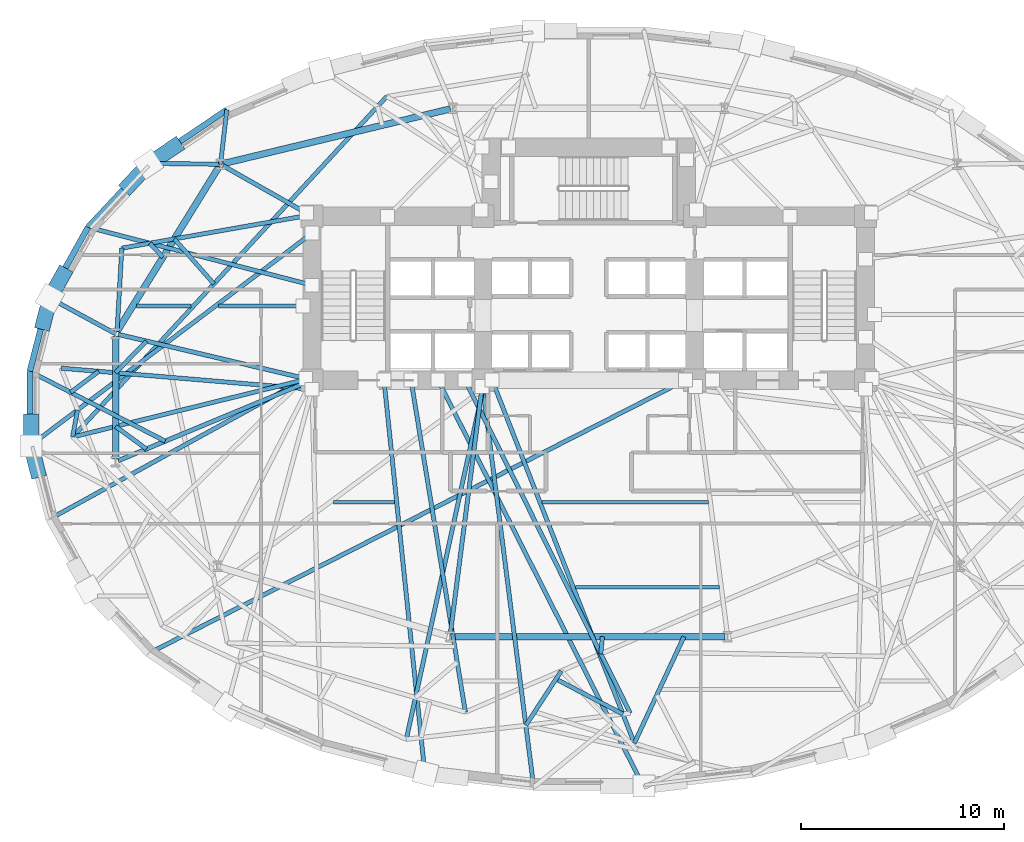
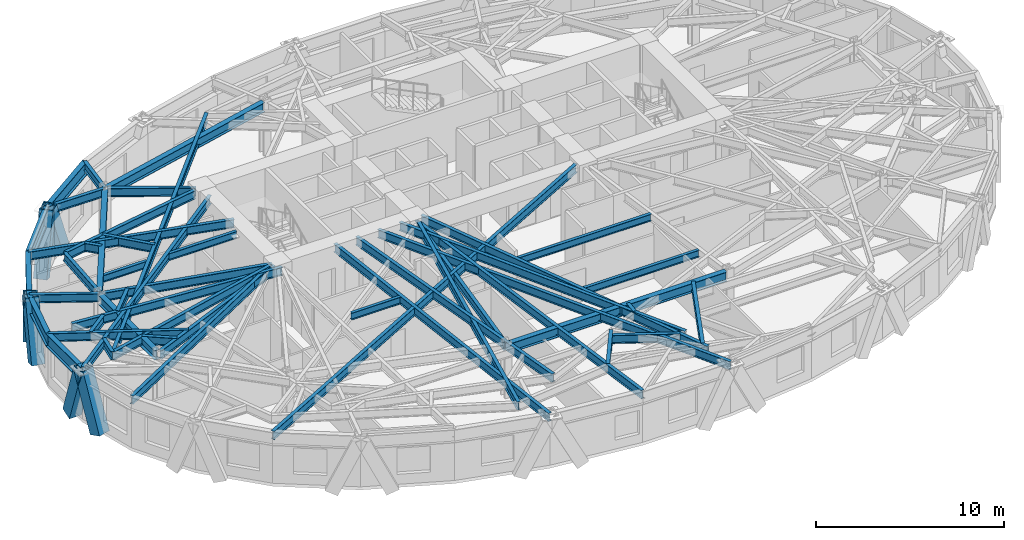
# One storey, part 2 of 13: 48 beams, 6 members.
"""IFC4 building model written with IfcOpenShell, lengths in metres."""

from ifc_helpers import new_model, si_unit, direction, frame, origin, origin_2d, place, context, subcontext, project, spatial, hollow_rectangle, i_section, extrude, material, material_profile, profile_set, type_object, element, save


model = new_model("IFC4")

# Units and contexts
model_context = context("Model", 3, precision=1e-05, world=origin(), true_north=direction((0.0, 1.0)))
body_context = subcontext(model_context, "Body", "Model", "MODEL_VIEW")
ifc_project = project(units=[si_unit("LENGTHUNIT", "METRE"), si_unit("AREAUNIT", "SQUARE_METRE"), si_unit("VOLUMEUNIT", "CUBIC_METRE"), si_unit("PLANEANGLEUNIT", "RADIAN"), si_unit("MASSUNIT", "GRAM", prefix="KILO")], contexts=[model_context])

# Site, building, storey
site_placement = place(None, origin())
site = spatial("IfcSite", under=ifc_project, at=site_placement, CompositionType="ELEMENT")
building_placement = place(site_placement, origin())
building = spatial("IfcBuilding", under=site, at=building_placement, Name="Keldmark Tower", CompositionType="ELEMENT")
storey_placement = place(building_placement, frame((0.0, 0.0, 45.0)))
storey = spatial("IfcBuildingStorey", under=building, at=storey_placement, Name="L11", CompositionType="ELEMENT", Elevation=45.0)

# Beams
ifc_material_1 = material(Name="Steel ASTM A992 Grade 50", Category="steel")
ifc_material_profile_1 = material_profile(ifc_material_1, i_section(OverallWidth=0.19091796875, OverallDepth=0.45703125, WebThickness=0.009033203125, FlangeThickness=0.014404296875, at=origin_2d()), Name="W18X50")
ifc_profile_set_1 = profile_set([ifc_material_profile_1], Name="Steel ASTM A992 Grade 50")
beam_type_1 = type_object("IfcBeamType", Name="Composite Floor Joist W18X50", PredefinedType="JOIST", material=ifc_profile_set_1)
beam_1_placement = place(storey_placement, frame((-0.66064453125, -8.780029296875, 3.17138671875), z_axis=(1.0, 0.0, 0.0), x_axis=(0.0, 1.0, 0.0)))
element("IfcBeam", 1, at=beam_1_placement, inside=storey, type_object=beam_type_1, Name="L11 Composite Floor Joist J05", PredefinedType="JOIST", context=body_context, shape_type="SweptSolid", body=[
    extrude(i_section(OverallWidth=0.19091796875, OverallDepth=0.45703125, WebThickness=0.009033203125, FlangeThickness=0.014404296875, at=origin_2d()), origin(), (0.0, 0.0, 1.0), 7.07177734375),
])
beam_2_placement = place(storey_placement, frame((-12.5537109375, -4.60009765625, 3.17138671875), z_axis=(1.0, 0.0, 0.0), x_axis=(0.0, 1.0, 0.0)))
element("IfcBeam", 2, at=beam_2_placement, inside=storey, type_object=beam_type_1, Name="L11 Composite Floor Joist J07", PredefinedType="JOIST", context=body_context, shape_type="SweptSolid", body=[
    extrude(i_section(OverallWidth=0.19091796875, OverallDepth=0.45703125, WebThickness=0.009033203125, FlangeThickness=0.014404296875, at=origin_2d()), origin(), (0.0, 0.0, 1.0), 3.016357421875),
])
beam_3_placement = place(storey_placement, frame((-2.29736328125, -4.60009765625, 3.17138671875), z_axis=(1.0, 0.0, 0.0), x_axis=(0.0, 1.0, 0.0)))
element("IfcBeam", 3, at=beam_3_placement, inside=storey, type_object=beam_type_1, Name="L11 Composite Floor Joist J08", PredefinedType="JOIST", context=body_context, shape_type="SweptSolid", body=[
    extrude(i_section(OverallWidth=0.19091796875, OverallDepth=0.45703125, WebThickness=0.009033203125, FlangeThickness=0.014404296875, at=origin_2d()), origin(), (0.0, 0.0, 1.0), 8.170654296875),
])
beam_4_placement = place(storey_placement, frame((-22.2294921875, 5.0400390625, 3.17138671875), z_axis=(1.0, 0.0, 0.0), x_axis=(0.0, 1.0, 0.0)))
element("IfcBeam", 4, at=beam_4_placement, inside=storey, type_object=beam_type_1, Name="L11 Composite Floor Joist J11", PredefinedType="JOIST", context=body_context, shape_type="SweptSolid", body=[
    extrude(i_section(OverallWidth=0.19091796875, OverallDepth=0.45703125, WebThickness=0.009033203125, FlangeThickness=0.014404296875, at=origin_2d()), origin(), (0.0, 0.0, 1.0), 2.66943359375),
])
beam_5_placement = place(storey_placement, frame((-18.187255859375, 5.0400390625, 3.17138671875), z_axis=(1.0, 0.0, 0.0), x_axis=(0.0, 1.0, 0.0)))
element("IfcBeam", 5, at=beam_5_placement, inside=storey, type_object=beam_type_1, Name="L11 Composite Floor Joist J12", PredefinedType="JOIST", context=body_context, shape_type="SweptSolid", body=[
    extrude(i_section(OverallWidth=0.19091796875, OverallDepth=0.45703125, WebThickness=0.009033203125, FlangeThickness=0.014404296875, at=origin_2d()), origin(), (0.0, 0.0, 1.0), 4.142333984375),
])

# Members
ifc_material_2 = material(Name="Steel ASTM A572 Grade 50", Category="steel")
ifc_material_profile_2 = material_profile(ifc_material_2, hollow_rectangle(XDim=0.75, YDim=0.75, WallThickness=0.06494140625, at=origin_2d()), Name="BOX750X750X65")
ifc_profile_set_2 = profile_set([ifc_material_profile_2], Name="Steel ASTM A572 Grade 50")
member_type = type_object("IfcMemberType", Name="Diagrid Lower Brace BOX750X750X65", PredefinedType="BRACE", material=ifc_profile_set_2)
member_1_placement = place(storey_placement, frame((-20.339111328125, 12.8837890625, -0.280029296875), z_axis=(-0.333167796222, -0.225753042249, 0.915442397683), x_axis=(0.560948167497, -0.827850924612, 0.0)))
element("IfcMember", 6, at=member_1_placement, inside=storey, type_object=member_type, Name="L11 Perimeter Diagrid Brace 06B", PredefinedType="BRACE", context=body_context, shape_type="SweptSolid", body=[
    extrude(hollow_rectangle(XDim=0.75, YDim=0.75, WallThickness=0.06494140625, at=origin_2d()), origin(), (0.0, 0.0, 1.0), 3.888916015625),
])
member_2_placement = place(storey_placement, frame((-22.60498046875, 10.9677734375, -0.280029296875), z_axis=(0.254987534516, 0.272673795643, 0.927701653772), x_axis=(-0.730397557148, 0.683022260627, 0.0)))
element("IfcMember", 7, at=member_2_placement, inside=storey, type_object=member_type, Name="L11 Perimeter Diagrid Brace 07A", PredefinedType="BRACE", context=body_context, shape_type="SweptSolid", body=[
    extrude(hollow_rectangle(XDim=0.75, YDim=0.75, WallThickness=0.06494140625, at=origin_2d()), origin(), (0.0, 0.0, 1.0), 3.83740234375),
])
member_3_placement = place(storey_placement, frame((-25.842041015625, 6.579345703125, -0.280029296875), z_axis=(-0.16943120398, -0.303561561286, 0.937626495801), x_axis=(0.873195871477, -0.487369438963, 0.0)))
element("IfcMember", 8, at=member_3_placement, inside=storey, type_object=member_type, Name="L11 Perimeter Diagrid Brace 07B", PredefinedType="BRACE", context=body_context, shape_type="SweptSolid", body=[
    extrude(hollow_rectangle(XDim=0.75, YDim=0.75, WallThickness=0.06494140625, at=origin_2d()), origin(), (0.0, 0.0, 1.0), 3.796875),
])
member_4_placement = place(storey_placement, frame((-26.7900390625, 4.230224609375, -0.280029296875), z_axis=(0.081943806471, 0.320072766982, 0.943842484961), x_axis=(-0.968755649676, 0.248017118805, 0.0)))
element("IfcMember", 9, at=member_4_placement, inside=storey, type_object=member_type, Name="L11 Perimeter Diagrid Brace 08A", PredefinedType="BRACE", context=body_context, shape_type="SweptSolid", body=[
    extrude(hollow_rectangle(XDim=0.75, YDim=0.75, WallThickness=0.06494140625, at=origin_2d()), origin(), (0.0, 0.0, 1.0), 3.77197265625),
])
member_5_placement = place(storey_placement, frame((-27.40625, -0.616943359375, -0.280029296875), z_axis=(0.0, -0.324641042054, 0.945837297749), x_axis=(1.0, 0.0, 0.0)))
element("IfcMember", 10, at=member_5_placement, inside=storey, type_object=member_type, Name="L11 Perimeter Diagrid Brace 08B", PredefinedType="BRACE", context=body_context, shape_type="SweptSolid", body=[
    extrude(hollow_rectangle(XDim=0.75, YDim=0.75, WallThickness=0.06494140625, at=origin_2d()), origin(), (0.0, 0.0, 1.0), 3.763916015625),
])
member_6_placement = place(storey_placement, frame((-27.096923828125, -3.034423828125, -0.280029296875), z_axis=(-0.08200809788, 0.320071068679, 0.94383747694), x_axis=(-0.968708564556, -0.248200960828, 0.0)))
element("IfcMember", 11, at=member_6_placement, inside=storey, type_object=member_type, Name="L11 Perimeter Diagrid Brace 09A", PredefinedType="BRACE", context=body_context, shape_type="SweptSolid", body=[
    extrude(hollow_rectangle(XDim=0.75, YDim=0.75, WallThickness=0.06494140625, at=origin_2d()), origin(), (0.0, 0.0, 1.0), 3.77197265625),
])

# Beams
ifc_material_3 = material(Name="Steel ASTM A992 Grade 50", Category="steel")
ifc_material_profile_3 = material_profile(ifc_material_3, i_section(OverallWidth=0.323974609375, OverallDepth=0.611083984375, WebThickness=0.0126953125, FlangeThickness=0.01904296875, at=origin_2d()), Name="W24X104")
ifc_profile_set_3 = profile_set([ifc_material_profile_3], Name="Steel ASTM A992 Grade 50")
beam_type_2 = type_object("IfcBeamType", Name="Primary Floor Girder W24X104", PredefinedType="BEAM", material=ifc_profile_set_3)
beam_6_placement = place(storey_placement, frame((-6.80126953125, 14.727294921875, 3.094482421875), z_axis=(-0.972218707757, -0.2340743136, 0.0), x_axis=(0.2340743136, -0.972218707757, 0.0)))
element("IfcBeam", 12, at=beam_6_placement, inside=storey, type_object=beam_type_2, Name="L11 Floor Ring Girder FG-R04", PredefinedType="BEAM", context=body_context, shape_type="SweptSolid", body=[
    extrude(i_section(OverallWidth=0.323974609375, OverallDepth=0.611083984375, WebThickness=0.0126953125, FlangeThickness=0.01904296875, at=origin_2d()), origin(), (0.0, 0.0, 1.0), 11.479248046875),
])
beam_7_placement = place(storey_placement, frame((-18.17138671875, 11.888427734375, 3.094482421875), z_axis=(-0.526318405849, -0.850287560573, 0.0), x_axis=(0.850287560573, -0.526318405849, 0.0)))
element("IfcBeam", 13, at=beam_7_placement, inside=storey, type_object=beam_type_2, Name="L11 Floor Ring Girder FG-R05", PredefinedType="BEAM", context=body_context, shape_type="SweptSolid", body=[
    extrude(i_section(OverallWidth=0.323974609375, OverallDepth=0.611083984375, WebThickness=0.0126953125, FlangeThickness=0.01904296875, at=origin_2d()), origin(), (0.0, 0.0, 1.0), 9.51708984375),
])
beam_8_placement = place(storey_placement, frame((-23.25390625, 3.537109375, 3.094482421875), z_axis=(0.0, -1.0, 0.0), x_axis=(1.0, 0.0, 0.0)))
element("IfcBeam", 14, at=beam_8_placement, inside=storey, type_object=beam_type_2, Name="L11 Floor Ring Girder FG-R06", PredefinedType="BEAM", context=body_context, shape_type="SweptSolid", body=[
    extrude(i_section(OverallWidth=0.323974609375, OverallDepth=0.611083984375, WebThickness=0.0126953125, FlangeThickness=0.01904296875, at=origin_2d()), origin(), (0.0, 0.0, 1.0), 6.01025390625),
])
beam_9_placement = place(storey_placement, frame((-6.68212890625, -11.205810546875, 3.094482421875), z_axis=(1.0, 0.0, 0.0), x_axis=(0.0, 1.0, 0.0)))
element("IfcBeam", 15, at=beam_9_placement, inside=storey, type_object=beam_type_2, Name="L11 Floor Ring Girder FG-R09", PredefinedType="BEAM", context=body_context, shape_type="SweptSolid", body=[
    extrude(i_section(OverallWidth=0.323974609375, OverallDepth=0.611083984375, WebThickness=0.0126953125, FlangeThickness=0.01904296875, at=origin_2d()), origin(), (0.0, 0.0, 1.0), 13.3642578125),
])
ifc_material_4 = material(Name="Steel ASTM A992 Grade 50", Category="steel")
ifc_material_profile_4 = material_profile(ifc_material_4, i_section(OverallWidth=0.2099609375, OverallDepth=0.537109375, WebThickness=0.010986328125, FlangeThickness=0.017333984375, at=origin_2d()), Name="W21X68")
ifc_profile_set_4 = profile_set([ifc_material_profile_4], Name="Steel ASTM A992 Grade 50")
beam_type_3 = type_object("IfcBeamType", Name="Radial Tie Girder W21X68", PredefinedType="BEAM", material=ifc_profile_set_4)
beam_10_placement = place(storey_placement, frame((-21.740234375, -1.98388671875, 3.131591796875), z_axis=(-0.806632426687, 0.591053405554, 0.0), x_axis=(-0.591053405554, -0.806632426687, 0.0)))
element("IfcBeam", 16, at=beam_10_placement, inside=storey, type_object=beam_type_3, Name="L11 Framing Pin Header PH-005", PredefinedType="BEAM", context=body_context, shape_type="SweptSolid", body=[
    extrude(i_section(OverallWidth=0.2099609375, OverallDepth=0.537109375, WebThickness=0.010986328125, FlangeThickness=0.017333984375, at=origin_2d()), origin(), (0.0, 0.0, 1.0), 1.87646484375),
])
beam_11_placement = place(storey_placement, frame((-14.050048828125, 1.39990234375, 3.131591796875), z_axis=(-0.970791969309, -0.239922804929, 0.0), x_axis=(0.239922804929, -0.970791969309, 0.0)))
element("IfcBeam", 17, at=beam_11_placement, inside=storey, type_object=beam_type_3, Name="L11 Sub-Ring Step Girder STP1-M07", PredefinedType="BEAM", context=body_context, shape_type="SweptSolid", body=[
    extrude(i_section(OverallWidth=0.2099609375, OverallDepth=0.537109375, WebThickness=0.010986328125, FlangeThickness=0.017333984375, at=origin_2d()), origin(), (0.0, 0.0, 1.0), 11.656494140625),
])
beam_12_placement = place(storey_placement, frame((-8.735595703125, 1.39990234375, 3.131591796875), z_axis=(0.161620615206, -0.98685296612, 0.0), x_axis=(0.98685296612, 0.161620615206, 0.0)))
element("IfcBeam", 18, at=beam_12_placement, inside=storey, type_object=beam_type_3, Name="L11 Sub-Ring Step Girder STP1-M09", PredefinedType="BEAM", context=body_context, shape_type="SweptSolid", body=[
    extrude(i_section(OverallWidth=0.2099609375, OverallDepth=0.537109375, WebThickness=0.010986328125, FlangeThickness=0.017333984375, at=origin_2d()), origin(), (0.0, 0.0, 1.0), 16.533203125),
])
beam_13_placement = place(storey_placement, frame((-9.9326171875, 15.33251953125, 3.131591796875), z_axis=(-0.678065786913, -0.735001216746, 0.0), x_axis=(0.735001216746, -0.678065786913, 0.0)))
element("IfcBeam", 19, at=beam_13_placement, inside=storey, type_object=beam_type_3, Name="L11 Perimeter Collector Ring Beam CRG1-M05", PredefinedType="BEAM", context=body_context, shape_type="SweptSolid", body=[
    extrude(i_section(OverallWidth=0.2099609375, OverallDepth=0.537109375, WebThickness=0.010986328125, FlangeThickness=0.017333984375, at=origin_2d()), origin(), (0.0, 0.0, 1.0), 22.7607421875),
])
beam_14_placement = place(storey_placement, frame((-21.73681640625, 3.3193359375, 3.131591796875), z_axis=(-0.697669764864, -0.716419499452, 0.0), x_axis=(0.716419499452, -0.697669764864, 0.0)))
element("IfcBeam", 20, at=beam_14_placement, inside=storey, type_object=beam_type_3, Name="L11 Framing Pin Header PH-010", PredefinedType="BEAM", context=body_context, shape_type="SweptSolid", body=[
    extrude(i_section(OverallWidth=0.2099609375, OverallDepth=0.537109375, WebThickness=0.010986328125, FlangeThickness=0.017333984375, at=origin_2d()), origin(), (0.0, 0.0, 1.0), 2.174560546875),
])
beam_15_placement = place(storey_placement, frame((-13.60009765625, 0.949951171875, 3.131591796875), z_axis=(-0.996486036928, 0.083759048507, 0.0), x_axis=(-0.083759048507, -0.996486036928, 0.0)))
element("IfcBeam", 21, at=beam_15_placement, inside=storey, type_object=beam_type_3, Name="L11 Sub-Ring Step Girder STP2-M07", PredefinedType="BEAM", context=body_context, shape_type="SweptSolid", body=[
    extrude(i_section(OverallWidth=0.2099609375, OverallDepth=0.537109375, WebThickness=0.010986328125, FlangeThickness=0.017333984375, at=origin_2d()), origin(), (0.0, 0.0, 1.0), 12.373291015625),
])
beam_16_placement = place(storey_placement, frame((-5.199951171875, 0.949951171875, 3.131591796875), z_axis=(-0.213990447824, -0.976835752949, 0.0), x_axis=(0.976835752949, -0.213990447824, 0.0)))
element("IfcBeam", 22, at=beam_16_placement, inside=storey, type_object=beam_type_3, Name="L11 Sub-Ring Step Girder STP2-M09", PredefinedType="BEAM", context=body_context, shape_type="SweptSolid", body=[
    extrude(i_section(OverallWidth=0.2099609375, OverallDepth=0.537109375, WebThickness=0.010986328125, FlangeThickness=0.017333984375, at=origin_2d()), origin(), (0.0, 0.0, 1.0), 17.608642578125),
])
beam_17_placement = place(storey_placement, frame((0.668212890625, -11.205810546875, 3.131591796875), z_axis=(-0.088438496664, -0.996081639379, 0.0), x_axis=(0.996081639379, -0.088438496664, 0.0)))
element("IfcBeam", 23, at=beam_17_placement, inside=storey, type_object=beam_type_3, Name="L11 Framing Pin Header PH-013", PredefinedType="BEAM", context=body_context, shape_type="SweptSolid", body=[
    extrude(i_section(OverallWidth=0.2099609375, OverallDepth=0.537109375, WebThickness=0.010986328125, FlangeThickness=0.017333984375, at=origin_2d()), origin(), (0.0, 0.0, 1.0), 0.850341796875),
])
beam_18_placement = place(storey_placement, frame((-6.07861328125, 1.39990234375, 3.131591796875), z_axis=(0.444303636595, -0.895876262945, 0.0), x_axis=(0.895876262945, 0.444303636595, 0.0)))
element("IfcBeam", 24, at=beam_18_placement, inside=storey, type_object=beam_type_3, Name="L11 Sub-Ring Step Girder STP2-M10", PredefinedType="BEAM", context=body_context, shape_type="SweptSolid", body=[
    extrude(i_section(OverallWidth=0.2099609375, OverallDepth=0.537109375, WebThickness=0.010986328125, FlangeThickness=0.017333984375, at=origin_2d()), origin(), (0.0, 0.0, 1.0), 18.27099609375),
])
beam_19_placement = place(storey_placement, frame((-18.09765625, 12.00732421875, 3.131591796875), z_axis=(0.115438533169, 0.993314625413, 0.0), x_axis=(-0.993314625413, 0.115438533169, 0.0)))
element("IfcBeam", 25, at=beam_19_placement, inside=storey, type_object=beam_type_3, Name="L11 Perimeter Column Bracket RT-12", PredefinedType="BEAM", context=body_context, shape_type="SweptSolid", body=[
    extrude(i_section(OverallWidth=0.2099609375, OverallDepth=0.537109375, WebThickness=0.010986328125, FlangeThickness=0.017333984375, at=origin_2d()), origin(), (0.0, 0.0, 1.0), 2.696533203125),
])
beam_20_placement = place(storey_placement, frame((-18.09765625, 12.00732421875, 3.131591796875), z_axis=(-0.999921071329, 0.012563881257, 0.0), x_axis=(-0.012563881257, -0.999921071329, 0.0)))
element("IfcBeam", 26, at=beam_20_placement, inside=storey, type_object=beam_type_3, Name="L11 Perimeter Column Bracket RT-13", PredefinedType="BEAM", context=body_context, shape_type="SweptSolid", body=[
    extrude(i_section(OverallWidth=0.2099609375, OverallDepth=0.537109375, WebThickness=0.010986328125, FlangeThickness=0.017333984375, at=origin_2d()), origin(), (0.0, 0.0, 1.0), 3.575439453125),
])
beam_21_placement = place(storey_placement, frame((-18.4208984375, 6.13134765625, 3.131591796875), z_axis=(-0.661739577532, 0.749733773767, 0.0), x_axis=(-0.749733773767, -0.661739577532, 0.0)))
element("IfcBeam", 27, at=beam_21_placement, inside=storey, type_object=beam_type_3, Name="L11 Framing Pin Header PH-022", PredefinedType="BEAM", context=body_context, shape_type="SweptSolid", body=[
    extrude(i_section(OverallWidth=0.2099609375, OverallDepth=0.537109375, WebThickness=0.010986328125, FlangeThickness=0.017333984375, at=origin_2d()), origin(), (0.0, 0.0, 1.0), 2.94384765625),
])
beam_22_placement = place(storey_placement, frame((-14.050048828125, 9.449951171875, 3.131591796875), z_axis=(-0.984876463888, -0.173258047087, 0.0), x_axis=(0.173258047087, -0.984876463888, 0.0)))
element("IfcBeam", 28, at=beam_22_placement, inside=storey, type_object=beam_type_3, Name="L11 Intermediate Radial Step Girder RT-14M", PredefinedType="BEAM", context=body_context, shape_type="SweptSolid", body=[
    extrude(i_section(OverallWidth=0.2099609375, OverallDepth=0.537109375, WebThickness=0.010986328125, FlangeThickness=0.017333984375, at=origin_2d()), origin(), (0.0, 0.0, 1.0), 9.033935546875),
])
beam_23_placement = place(storey_placement, frame((-23.180419921875, 3.796142578125, 3.131591796875), z_axis=(0.056932645284, 0.998378021543, 0.0), x_axis=(-0.998378021543, 0.056932645284, 0.0)))
element("IfcBeam", 29, at=beam_23_placement, inside=storey, type_object=beam_type_3, Name="L11 Local Collector Chord RT-14C", PredefinedType="BEAM", context=body_context, shape_type="SweptSolid", body=[
    extrude(i_section(OverallWidth=0.2099609375, OverallDepth=0.537109375, WebThickness=0.010986328125, FlangeThickness=0.017333984375, at=origin_2d()), origin(), (0.0, 0.0, 1.0), 4.09521484375),
])
beam_24_placement = place(storey_placement, frame((-20.92626953125, 7.437744140625, 3.131591796875), z_axis=(-0.683036945409, 0.730383824579, 0.0), x_axis=(-0.730383824579, -0.683036945409, 0.0)))
element("IfcBeam", 30, at=beam_24_placement, inside=storey, type_object=beam_type_3, Name="L11 Framing Pin Header PH-023", PredefinedType="BEAM", context=body_context, shape_type="SweptSolid", body=[
    extrude(i_section(OverallWidth=0.2099609375, OverallDepth=0.537109375, WebThickness=0.010986328125, FlangeThickness=0.017333984375, at=origin_2d()), origin(), (0.0, 0.0, 1.0), 0.943603515625),
])
beam_25_placement = place(storey_placement, frame((-13.60009765625, 6.064208984375, 3.131591796875), z_axis=(-0.96811154628, 0.250519528099, 0.0), x_axis=(-0.250519528099, -0.96811154628, 0.0)))
element("IfcBeam", 31, at=beam_25_placement, inside=storey, type_object=beam_type_3, Name="L11 Perimeter Radial Tie Girder RT-14", PredefinedType="BEAM", context=body_context, shape_type="SweptSolid", body=[
    extrude(i_section(OverallWidth=0.2099609375, OverallDepth=0.537109375, WebThickness=0.010986328125, FlangeThickness=0.017333984375, at=origin_2d()), origin(), (0.0, 0.0, 1.0), 11.370849609375),
])
beam_26_placement = place(storey_placement, frame((-23.25390625, 3.67724609375, 3.131591796875), z_axis=(-0.8794299536, 0.476028315031, 0.0), x_axis=(-0.476028315031, -0.8794299536, 0.0)))
element("IfcBeam", 32, at=beam_26_placement, inside=storey, type_object=beam_type_3, Name="L11 Perimeter Column Bracket RT-15", PredefinedType="BEAM", context=body_context, shape_type="SweptSolid", body=[
    extrude(i_section(OverallWidth=0.2099609375, OverallDepth=0.537109375, WebThickness=0.010986328125, FlangeThickness=0.017333984375, at=origin_2d()), origin(), (0.0, 0.0, 1.0), 3.734619140625),
])
beam_27_placement = place(storey_placement, frame((-24.080322265625, 1.830810546875, 3.131591796875), z_axis=(-0.802099318173, -0.597190659493, 0.0), x_axis=(0.597190659493, -0.802099318173, 0.0)))
element("IfcBeam", 33, at=beam_27_placement, inside=storey, type_object=beam_type_3, Name="L11 Framing Pin Header PH-024", PredefinedType="BEAM", context=body_context, shape_type="SweptSolid", body=[
    extrude(i_section(OverallWidth=0.2099609375, OverallDepth=0.537109375, WebThickness=0.010986328125, FlangeThickness=0.017333984375, at=origin_2d()), origin(), (0.0, 0.0, 1.0), 1.726318359375),
])
beam_28_placement = place(storey_placement, frame((-20.8173828125, -1.600341796875, 3.131591796875), z_axis=(-0.888517255374, 0.458843205138, 0.0), x_axis=(-0.458843205138, -0.888517255374, 0.0)))
element("IfcBeam", 34, at=beam_28_placement, inside=storey, type_object=beam_type_3, Name="L11 Perimeter Radial Tie Girder RT-16", PredefinedType="BEAM", context=body_context, shape_type="SweptSolid", body=[
    extrude(i_section(OverallWidth=0.2099609375, OverallDepth=0.537109375, WebThickness=0.010986328125, FlangeThickness=0.017333984375, at=origin_2d()), origin(), (0.0, 0.0, 1.0), 7.482666015625),
])
beam_29_placement = place(storey_placement, frame((-25.365966796875, -1.396728515625, 3.131591796875), z_axis=(0.178455825361, 0.983947924636, 0.0), x_axis=(-0.983947924636, 0.178455825361, 0.0)))
element("IfcBeam", 35, at=beam_29_placement, inside=storey, type_object=beam_type_3, Name="L11 Framing Pin Header PH-025", PredefinedType="BEAM", context=body_context, shape_type="SweptSolid", body=[
    extrude(i_section(OverallWidth=0.2099609375, OverallDepth=0.537109375, WebThickness=0.010986328125, FlangeThickness=0.017333984375, at=origin_2d()), origin(), (0.0, 0.0, 1.0), 1.350341796875),
])
beam_30_placement = place(storey_placement, frame((-13.60009765625, 8.621337890625, 3.131591796875), z_axis=(-0.798475663961, -0.602027087482, 0.0), x_axis=(0.602027087482, -0.798475663961, 0.0)))
element("IfcBeam", 36, at=beam_30_placement, inside=storey, type_object=beam_type_3, Name="L11 Perimeter Radial Tie Girder RT-17", PredefinedType="BEAM", context=body_context, shape_type="SweptSolid", body=[
    extrude(i_section(OverallWidth=0.2099609375, OverallDepth=0.537109375, WebThickness=0.010986328125, FlangeThickness=0.017333984375, at=origin_2d()), origin(), (0.0, 0.0, 1.0), 17.365234375),
])
beam_31_placement = place(storey_placement, frame((-14.050048828125, 1.39990234375, 3.131591796875), z_axis=(-0.876617956522, -0.481187030482, 0.0), x_axis=(0.481187030482, -0.876617956522, 0.0)))
element("IfcBeam", 37, at=beam_31_placement, inside=storey, type_object=beam_type_3, Name="L11 Perimeter Radial Tie Girder RT-18", PredefinedType="BEAM", context=body_context, shape_type="SweptSolid", body=[
    extrude(i_section(OverallWidth=0.2099609375, OverallDepth=0.537109375, WebThickness=0.010986328125, FlangeThickness=0.017333984375, at=origin_2d()), origin(), (0.0, 0.0, 1.0), 14.24609375),
])
beam_32_placement = place(storey_placement, frame((4.75, 1.39990234375, 3.131591796875), z_axis=(-0.891156094168, -0.453696832508, 0.0), x_axis=(0.453696832508, -0.891156094168, 0.0)))
element("IfcBeam", 38, at=beam_32_placement, inside=storey, type_object=beam_type_3, Name="L11 Perimeter Radial Tie Girder RT-20", PredefinedType="BEAM", context=body_context, shape_type="SweptSolid", body=[
    extrude(i_section(OverallWidth=0.2099609375, OverallDepth=0.537109375, WebThickness=0.010986328125, FlangeThickness=0.017333984375, at=origin_2d()), origin(), (0.0, 0.0, 1.0), 29.650146484375),
])
beam_33_placement = place(storey_placement, frame((-10.064208984375, 1.39990234375, 3.131591796875), z_axis=(0.103347098695, -0.994645352471, 0.0), x_axis=(0.994645352471, 0.103347098695, 0.0)))
element("IfcBeam", 39, at=beam_33_placement, inside=storey, type_object=beam_type_3, Name="L11 Perimeter Radial Tie Girder RT-23", PredefinedType="BEAM", context=body_context, shape_type="SweptSolid", body=[
    extrude(i_section(OverallWidth=0.2099609375, OverallDepth=0.537109375, WebThickness=0.010986328125, FlangeThickness=0.017333984375, at=origin_2d()), origin(), (0.0, 0.0, 1.0), 19.48681640625),
])
beam_34_placement = place(storey_placement, frame((-1.34912109375, -12.88818359375, 3.131591796875), z_axis=(-0.54576672663, -0.83793715761, 0.0), x_axis=(0.83793715761, -0.54576672663, 0.0)))
element("IfcBeam", 40, at=beam_34_placement, inside=storey, type_object=beam_type_3, Name="L11 Framing Pin Header PH-032", PredefinedType="BEAM", context=body_context, shape_type="SweptSolid", body=[
    extrude(i_section(OverallWidth=0.2099609375, OverallDepth=0.537109375, WebThickness=0.010986328125, FlangeThickness=0.017333984375, at=origin_2d()), origin(), (0.0, 0.0, 1.0), 3.1962890625),
])
beam_35_placement = place(storey_placement, frame((-5.199951171875, 0.949951171875, 3.131591796875), z_axis=(0.126518099542, -0.991964298999, 0.0), x_axis=(0.991964298999, 0.126518099542, 0.0)))
element("IfcBeam", 41, at=beam_35_placement, inside=storey, type_object=beam_type_3, Name="L11 Perimeter Radial Tie Girder RT-24", PredefinedType="BEAM", context=body_context, shape_type="SweptSolid", body=[
    extrude(i_section(OverallWidth=0.2099609375, OverallDepth=0.537109375, WebThickness=0.010986328125, FlangeThickness=0.017333984375, at=origin_2d()), origin(), (0.0, 0.0, 1.0), 19.719482421875),
])
beam_36_placement = place(storey_placement, frame((-1.61083984375, -13.289794921875, 3.131591796875), z_axis=(0.885872748, -0.463928307339, 0.0), x_axis=(0.463928307339, 0.885872748, 0.0)))
element("IfcBeam", 42, at=beam_36_placement, inside=storey, type_object=beam_type_3, Name="L11 Framing Pin Header PH-033", PredefinedType="BEAM", context=body_context, shape_type="SweptSolid", body=[
    extrude(i_section(OverallWidth=0.2099609375, OverallDepth=0.537109375, WebThickness=0.010986328125, FlangeThickness=0.017333984375, at=origin_2d()), origin(), (0.0, 0.0, 1.0), 3.7099609375),
])
beam_37_placement = place(storey_placement, frame((-4.75, 1.39990234375, 3.131591796875), z_axis=(0.364599612987, -0.93116439054, 0.0), x_axis=(0.93116439054, 0.364599612987, 0.0)))
element("IfcBeam", 43, at=beam_37_placement, inside=storey, type_object=beam_type_3, Name="L11 Intermediate Radial Step Girder RT-25M", PredefinedType="BEAM", context=body_context, shape_type="SweptSolid", body=[
    extrude(i_section(OverallWidth=0.2099609375, OverallDepth=0.537109375, WebThickness=0.010986328125, FlangeThickness=0.017333984375, at=origin_2d()), origin(), (0.0, 0.0, 1.0), 19.53466796875),
])
beam_38_placement = place(storey_placement, frame((-7.406982421875, 1.39990234375, 3.131591796875), z_axis=(0.451011997256, -0.892517886841, 0.0), x_axis=(0.892517886841, 0.451011997256, 0.0)))
element("IfcBeam", 44, at=beam_38_placement, inside=storey, type_object=beam_type_3, Name="L11 Perimeter Radial Tie Girder RT-25", PredefinedType="BEAM", context=body_context, shape_type="SweptSolid", body=[
    extrude(i_section(OverallWidth=0.2099609375, OverallDepth=0.537109375, WebThickness=0.010986328125, FlangeThickness=0.017333984375, at=origin_2d()), origin(), (0.0, 0.0, 1.0), 22.4208984375),
])
beam_39_placement = place(storey_placement, frame((4.677490234375, -11.205810546875, 3.131591796875), z_axis=(-0.422170829985, -0.906516293461, 0.0), x_axis=(0.906516293461, -0.422170829985, 0.0)))
element("IfcBeam", 45, at=beam_39_placement, inside=storey, type_object=beam_type_3, Name="L11 Framing Pin Header PH-035", PredefinedType="BEAM", context=body_context, shape_type="SweptSolid", body=[
    extrude(i_section(OverallWidth=0.2099609375, OverallDepth=0.537109375, WebThickness=0.010986328125, FlangeThickness=0.017333984375, at=origin_2d()), origin(), (0.0, 0.0, 1.0), 5.780029296875),
])
ifc_material_5 = material(Name="Steel ASTM A992 Grade 50", Category="steel")
ifc_material_profile_5 = material_profile(ifc_material_5, i_section(OverallWidth=0.214111328125, OverallDepth=0.549072265625, WebThickness=0.0146484375, FlangeThickness=0.023681640625, at=origin_2d()), Name="W21X93")
ifc_profile_set_5 = profile_set([ifc_material_profile_5], Name="Steel ASTM A992 Grade 50")
beam_type_4 = type_object("IfcBeamType", Name="Radial Tie Girder W21X93", PredefinedType="BEAM", material=ifc_profile_set_5)
beam_40_placement = place(storey_placement, frame((-17.97607421875, 11.938232421875, 3.12548828125), z_axis=(0.869299282131, -0.494286109542, 0.0), x_axis=(0.494286109542, 0.869299282131, 0.0)))
element("IfcBeam", 46, at=beam_40_placement, inside=storey, type_object=beam_type_4, Name="L11 Floor Radial Girder FG-C05", PredefinedType="BEAM", context=body_context, shape_type="SweptSolid", body=[
    extrude(i_section(OverallWidth=0.214111328125, OverallDepth=0.549072265625, WebThickness=0.0146484375, FlangeThickness=0.023681640625, at=origin_2d()), origin(), (0.0, 0.0, 1.0), 4.714111328125),
])
beam_41_placement = place(storey_placement, frame((-23.11767578125, 3.64501953125, 3.12548828125), z_axis=(0.973287364179, -0.229590301909, 0.0), x_axis=(0.229590301909, 0.973287364179, 0.0)))
element("IfcBeam", 47, at=beam_41_placement, inside=storey, type_object=beam_type_4, Name="L11 Floor Radial Girder FG-C06", PredefinedType="BEAM", context=body_context, shape_type="SweptSolid", body=[
    extrude(i_section(OverallWidth=0.214111328125, OverallDepth=0.549072265625, WebThickness=0.0146484375, FlangeThickness=0.023681640625, at=origin_2d()), origin(), (0.0, 0.0, 1.0), 9.458740234375),
])
beam_42_placement = place(storey_placement, frame((-23.124755859375, -2.5595703125, 3.12548828125), z_axis=(0.923390978102, 0.383860784088, 0.0), x_axis=(-0.383860784088, 0.923390978102, 0.0)))
element("IfcBeam", 48, at=beam_42_placement, inside=storey, type_object=beam_type_4, Name="L11 Floor Radial Girder FG-C07", PredefinedType="BEAM", context=body_context, shape_type="SweptSolid", body=[
    extrude(i_section(OverallWidth=0.214111328125, OverallDepth=0.549072265625, WebThickness=0.0146484375, FlangeThickness=0.023681640625, at=origin_2d()), origin(), (0.0, 0.0, 1.0), 9.994873046875),
])
beam_43_placement = place(storey_placement, frame((-6.80419921875, -11.06689453125, 3.12548828125), z_axis=(0.127634898593, 0.99182122011, 0.0), x_axis=(-0.99182122011, 0.127634898593, 0.0)))
element("IfcBeam", 49, at=beam_43_placement, inside=storey, type_object=beam_type_4, Name="L11 Floor Radial Girder FG-C09", PredefinedType="BEAM", context=body_context, shape_type="SweptSolid", body=[
    extrude(i_section(OverallWidth=0.214111328125, OverallDepth=0.549072265625, WebThickness=0.0146484375, FlangeThickness=0.023681640625, at=origin_2d()), origin(), (0.0, 0.0, 1.0), 12.24951171875),
])
ifc_material_6 = material(Name="Steel ASTM A992 Grade 50", Category="steel")
ifc_material_profile_6 = material_profile(ifc_material_6, i_section(OverallWidth=0.2919921875, OverallDepth=0.85888671875, WebThickness=0.01708984375, FlangeThickness=0.031005859375, at=origin_2d()), Name="W33X169")
ifc_profile_set_6 = profile_set([ifc_material_profile_6], Name="Steel ASTM A992 Grade 50")
beam_type_5 = type_object("IfcBeamType", Name="Spandrel Ring Beam W33X169", PredefinedType="SPANDREL", material=ifc_profile_set_6)
beam_44_placement = place(storey_placement, frame((-17.786376953125, 14.685791015625, 2.970458984375), z_axis=(-0.827842346852, -0.560960826402, 0.0), x_axis=(0.560960826402, -0.827842346852, 0.0)))
element("IfcBeam", 50, at=beam_44_placement, inside=storey, type_object=beam_type_5, Name="L11 Perimeter Spandrel Ring Beam SRB-12", PredefinedType="SPANDREL", context=body_context, shape_type="SweptSolid", body=[
    extrude(i_section(OverallWidth=0.2919921875, OverallDepth=0.85888671875, WebThickness=0.01708984375, FlangeThickness=0.031005859375, at=origin_2d()), origin(), (0.0, 0.0, 1.0), 4.69482421875),
])
beam_45_placement = place(storey_placement, frame((-21.6728515625, 12.05224609375, 2.970458984375), z_axis=(-0.68299392258, -0.730424056093, 0.0), x_axis=(0.730424056093, -0.68299392258, 0.0)))
element("IfcBeam", 51, at=beam_45_placement, inside=storey, type_object=beam_type_5, Name="L11 Perimeter Spandrel Ring Beam SRB-13", PredefinedType="SPANDREL", context=body_context, shape_type="SweptSolid", body=[
    extrude(i_section(OverallWidth=0.2919921875, OverallDepth=0.85888671875, WebThickness=0.01708984375, FlangeThickness=0.031005859375, at=origin_2d()), origin(), (0.0, 0.0, 1.0), 4.298095703125),
])
beam_46_placement = place(storey_placement, frame((-24.6083984375, 8.912841796875, 2.970458984375), z_axis=(-0.487369438963, -0.873195871477, 0.0), x_axis=(0.873195871477, -0.487369438963, 0.0)))
element("IfcBeam", 52, at=beam_46_placement, inside=storey, type_object=beam_type_5, Name="L11 Perimeter Spandrel Ring Beam SRB-14", PredefinedType="SPANDREL", context=body_context, shape_type="SweptSolid", body=[
    extrude(i_section(OverallWidth=0.2919921875, OverallDepth=0.85888671875, WebThickness=0.01708984375, FlangeThickness=0.031005859375, at=origin_2d()), origin(), (0.0, 0.0, 1.0), 3.9599609375),
])
beam_47_placement = place(storey_placement, frame((-26.538330078125, 5.455078125, 2.970458984375), z_axis=(-0.248062710061, -0.968743976434, 0.0), x_axis=(0.968743976434, -0.248062710061, 0.0)))
element("IfcBeam", 53, at=beam_47_placement, inside=storey, type_object=beam_type_5, Name="L11 Perimeter Spandrel Ring Beam SRB-15", PredefinedType="SPANDREL", context=body_context, shape_type="SweptSolid", body=[
    extrude(i_section(OverallWidth=0.2919921875, OverallDepth=0.85888671875, WebThickness=0.01708984375, FlangeThickness=0.031005859375, at=origin_2d()), origin(), (0.0, 0.0, 1.0), 3.739013671875),
])
beam_48_placement = place(storey_placement, frame((-27.4658203125, 1.8330078125, 2.970458984375), z_axis=(0.0, -1.0, 0.0), x_axis=(1.0, 0.0, 0.0)))
element("IfcBeam", 54, at=beam_48_placement, inside=storey, type_object=beam_type_5, Name="L11 Perimeter Spandrel Ring Beam SRB-16", PredefinedType="SPANDREL", context=body_context, shape_type="SweptSolid", body=[
    extrude(i_section(OverallWidth=0.2919921875, OverallDepth=0.85888671875, WebThickness=0.01708984375, FlangeThickness=0.031005859375, at=origin_2d()), origin(), (0.0, 0.0, 1.0), 3.666015625),
])

save(model, "model.ifc")
